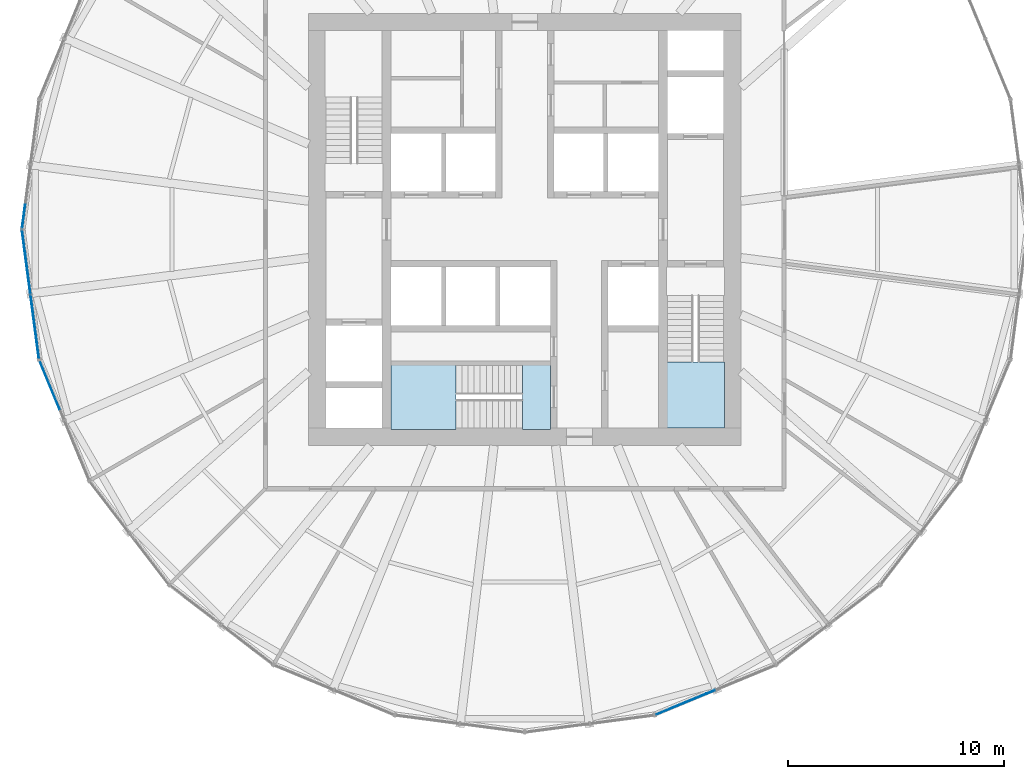
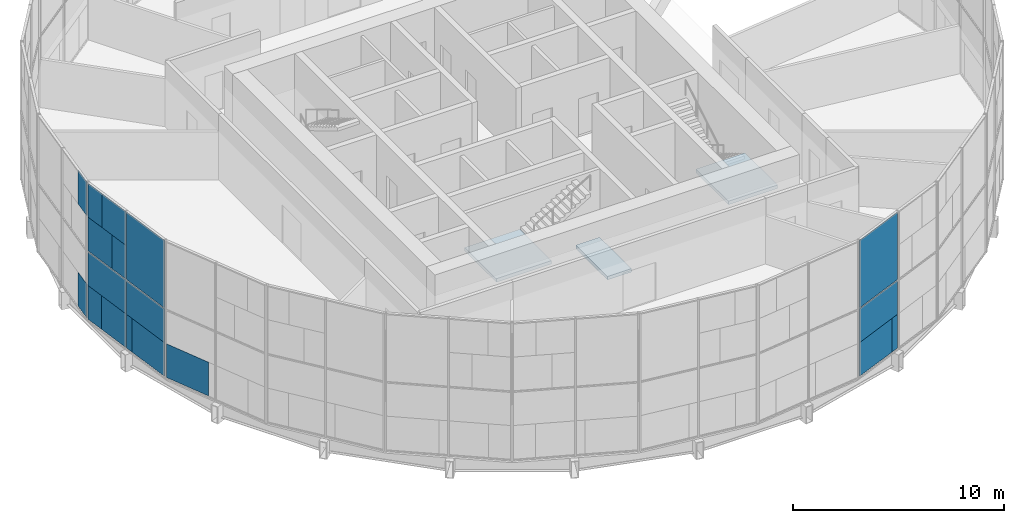
# One storey, part 9 of 18: 18 plates, 3 slabs, 6 elements without a shape of their own.
"""IFC4 building model written with IfcOpenShell, lengths in metres."""

from ifc_helpers import new_model, si_unit, direction, frame, origin, origin_2d, place, context, subcontext, project, spatial, polyline, rectangle, outline, extrude, material, layer, layer_set, type_object, element, aggregate, save


model = new_model("IFC4")

# Units and contexts
model_context = context("Model", 3, precision=1e-05, world=origin(), true_north=direction((0.0, 1.0)))
body_context = subcontext(model_context, "Body", "Model", "MODEL_VIEW")
ifc_project = project(units=[si_unit("LENGTHUNIT", "METRE"), si_unit("AREAUNIT", "SQUARE_METRE"), si_unit("VOLUMEUNIT", "CUBIC_METRE"), si_unit("PLANEANGLEUNIT", "RADIAN"), si_unit("MASSUNIT", "GRAM", prefix="KILO")], contexts=[model_context])

# Site, building, storey
site_placement = place(None, origin())
site = spatial("IfcSite", under=ifc_project, at=site_placement, CompositionType="ELEMENT")
building_placement = place(site_placement, origin())
building = spatial("IfcBuilding", under=site, at=building_placement, Name="Golbaran Civic Tower", CompositionType="ELEMENT")
storey_placement = place(building_placement, frame((0.0, 0.0, 45.0)))
storey = spatial("IfcBuildingStorey", under=building, at=storey_placement, Name="L10", CompositionType="ELEMENT", Elevation=45.0)

# Curtain wall, plate
ifc_material_1 = material(Name="Aluminium and glass", Category="aluminium")
curtain_wall_type = type_object("IfcCurtainWallType", Name="INNER SKIN CURTAIN WALL", PredefinedType="NOTDEFINED", material=ifc_material_1)
curtain_wall_1_placement = place(storey_placement, origin())
curtain_wall_1 = element("IfcCurtainWall", 1, at=curtain_wall_1_placement, inside=storey, type_object=curtain_wall_type, Name="Inner skin L10 facet 12 CW1", ObjectType="INNER SKIN", PredefinedType="USERDEFINED")
ifc_material_2 = material(Name="Clear insulating glass", Category="glass")
ifc_layer_1 = layer(ifc_material_2, 0.031982421875, Name="Clear insulating glass")
ifc_layer_set_1 = layer_set([ifc_layer_1], Name="Clear insulating glass")
plate_type_1 = type_object("IfcPlateType", Name="INNER SKIN CURTAIN WALL GLAZED PANEL", PredefinedType="CURTAIN_PANEL", material=ifc_layer_set_1)
plate_1_placement = place(storey_placement, frame((-23.193359375, 0.58935546875, 0.06494140625), z_axis=(0.0, 0.0, 1.0), x_axis=(-0.130526192134, -0.991444861385, 0.0)))
plate_1 = element("IfcPlate", 2, at=plate_1_placement, type_object=plate_type_1, Name="CW1 panel 2.1 part 2", PredefinedType="CURTAIN_PANEL", context=body_context, shape_type="SweptSolid", body=[
    extrude(rectangle(XDim=1.05908203125, YDim=0.031982421875, at=origin_2d()), origin(), (0.0, 0.0, 1.0), 1.951171875),
])

# Curtain wall, plates
curtain_wall_2_placement = place(storey_placement, origin())
curtain_wall_2 = element("IfcCurtainWall", 3, at=curtain_wall_2_placement, inside=storey, type_object=curtain_wall_type, Name="Inner skin L10 facet 13 CW1", ObjectType="INNER SKIN", PredefinedType="USERDEFINED")
plate_2_placement = place(storey_placement, frame((-23.193359375, -0.58935546875, 0.06494140625), z_axis=(0.0, 0.0, 1.0), x_axis=(0.130526192134, -0.991444861385, 0.0)))
plate_2 = element("IfcPlate", 4, at=plate_2_placement, type_object=plate_type_1, Name="CW1 panel 1.1 part 1", PredefinedType="CURTAIN_PANEL", context=body_context, shape_type="SweptSolid", body=[
    extrude(rectangle(XDim=1.05908203125, YDim=0.031982421875, at=origin_2d()), origin(), (0.0, 0.0, 1.0), 1.951171875),
])
plate_3_placement = place(storey_placement, frame((-22.949462890625, -2.44287109375, 4.032470703125), z_axis=(0.0, 0.0, 1.0), x_axis=(0.130526192134, -0.991444861385, 0.0)))
plate_3 = element("IfcPlate", 5, at=plate_3_placement, type_object=plate_type_1, Name="CW1 panel 1.2 part 2", PredefinedType="CURTAIN_PANEL", context=body_context, shape_type="SweptSolid", body=[
    extrude(rectangle(XDim=1.08203125, YDim=0.031982421875, at=origin_2d()), origin(), (0.0, 0.0, 1.0), 1.951171875),
])
plate_4_placement = place(storey_placement, frame((-23.0, -2.058837890625, 5.98388671875), z_axis=(0.0, 0.0, 1.0), x_axis=(0.130526192134, -0.991444861385, 0.0)))
plate_4 = element("IfcPlate", 6, at=plate_4_placement, type_object=plate_type_1, Name="CW1 panel 1.2 part 4", PredefinedType="CURTAIN_PANEL", context=body_context, shape_type="SweptSolid", body=[
    extrude(rectangle(XDim=1.85693359375, YDim=0.031982421875, at=origin_2d()), origin(), (0.0, 0.0, 1.0), 1.951171875),
])
plate_5_placement = place(storey_placement, frame((-22.65087890625, -4.710205078125, 0.06494140625), z_axis=(0.0, 0.0, 1.0), x_axis=(0.130526192134, -0.991444861385, 0.0)))
plate_5 = element("IfcPlate", 7, at=plate_5_placement, type_object=plate_type_1, Name="CW1 panel 2.1 part 2", PredefinedType="CURTAIN_PANEL", context=body_context, shape_type="SweptSolid", body=[
    extrude(rectangle(XDim=2.51806640625, YDim=0.031982421875, at=origin_2d()), origin(), (0.0, 0.0, 1.0), 1.951171875),
])
plate_6_placement = place(storey_placement, frame((-22.678466796875, -4.501220703125, 2.016357421875), z_axis=(0.0, 0.0, 1.0), x_axis=(0.130526192134, -0.991444861385, 0.0)))
plate_6 = element("IfcPlate", 8, at=plate_6_placement, type_object=plate_type_1, Name="CW1 panel 2.1 part 3", PredefinedType="CURTAIN_PANEL", context=body_context, shape_type="SweptSolid", body=[
    extrude(rectangle(XDim=2.93994140625, YDim=0.031982421875, at=origin_2d()), origin(), (0.0, 0.0, 1.0), 1.951171875),
])
plate_7_placement = place(storey_placement, frame((-22.678466796875, -4.501220703125, 4.0322265625), z_axis=(0.0, 0.0, 1.0), x_axis=(0.130526192134, -0.991444861385, 0.0)))
plate_7 = element("IfcPlate", 9, at=plate_7_placement, type_object=plate_type_1, Name="CW1 panel 2.2", PredefinedType="CURTAIN_PANEL", context=body_context, shape_type="SweptSolid", body=[
    extrude(rectangle(XDim=2.93994140625, YDim=0.031982421875, at=origin_2d()), origin(), (0.0, 0.0, 1.0), 3.902587890625),
])

# Curtain wall, plate
curtain_wall_3_placement = place(storey_placement, origin())
curtain_wall_3 = element("IfcCurtainWall", 10, at=curtain_wall_3_placement, inside=storey, type_object=curtain_wall_type, Name="Inner skin L10 facet 14 CW1", ObjectType="INNER SKIN", PredefinedType="USERDEFINED")
plate_8_placement = place(storey_placement, frame((-21.971435546875, -7.24609375, 0.06494140625), z_axis=(0.0, 0.0, 1.0), x_axis=(0.38268343251, -0.923879532451, 0.0)))
plate_8 = element("IfcPlate", 11, at=plate_8_placement, type_object=plate_type_1, Name="CW1 panel 1.1 part 1", PredefinedType="CURTAIN_PANEL", context=body_context, shape_type="SweptSolid", body=[
    extrude(rectangle(XDim=2.51806640625, YDim=0.031982421875, at=origin_2d()), origin(), (0.0, 0.0, 1.0), 1.951171875),
])
aggregate(curtain_wall_3, [plate_8])

# Curtain wall, plates
curtain_wall_4_placement = place(storey_placement, origin())
curtain_wall_4 = element("IfcCurtainWall", 12, at=curtain_wall_4_placement, inside=storey, type_object=curtain_wall_type, Name="Inner skin L10 facet 20 CW1", ObjectType="INNER SKIN", PredefinedType="USERDEFINED")
plate_9_placement = place(storey_placement, frame((7.24609375, -21.971435546875, 0.06494140625), z_axis=(0.0, 0.0, 1.0), x_axis=(0.923879532451, 0.38268343251, 0.0)))
plate_9 = element("IfcPlate", 13, at=plate_9_placement, type_object=plate_type_1, Name="CW1 panel 1.1 part 1", PredefinedType="CURTAIN_PANEL", context=body_context, shape_type="SweptSolid", body=[
    extrude(rectangle(XDim=2.51806640625, YDim=0.031982421875, at=origin_2d()), origin(), (0.0, 0.0, 1.0), 1.951171875),
])
plate_10_placement = place(storey_placement, frame((7.441162109375, -21.890625, 2.016357421875), z_axis=(0.0, 0.0, 1.0), x_axis=(0.923879532451, 0.38268343251, 0.0)))
plate_10 = element("IfcPlate", 14, at=plate_10_placement, type_object=plate_type_1, Name="CW1 panel 1.1 part 3", PredefinedType="CURTAIN_PANEL", context=body_context, shape_type="SweptSolid", body=[
    extrude(rectangle(XDim=2.93994140625, YDim=0.031982421875, at=origin_2d()), origin(), (0.0, 0.0, 1.0), 1.951171875),
])
plate_11_placement = place(storey_placement, frame((7.441162109375, -21.890625, 4.0322265625), z_axis=(0.0, 0.0, 1.0), x_axis=(0.923879532451, 0.38268343251, 0.0)))
plate_11 = element("IfcPlate", 15, at=plate_11_placement, type_object=plate_type_1, Name="CW1 panel 1.2", PredefinedType="CURTAIN_PANEL", context=body_context, shape_type="SweptSolid", body=[
    extrude(rectangle(XDim=2.93994140625, YDim=0.031982421875, at=origin_2d()), origin(), (0.0, 0.0, 1.0), 3.902587890625),
])

# Plate
ifc_material_3 = material(Name="Aluminium faced opaque infill panel", Category="aluminium")
ifc_layer_2 = layer(ifc_material_3, 0.031982421875, Name="Aluminium faced opaque infill panel")
ifc_layer_set_2 = layer_set([ifc_layer_2], Name="Aluminium faced opaque infill panel")
plate_type_2 = type_object("IfcPlateType", Name="INNER SKIN CURTAIN WALL OPAQUE INFILL PANEL", PredefinedType="CURTAIN_PANEL", material=ifc_layer_set_2)
plate_12_placement = place(storey_placement, frame((-23.19189453125, 0.601318359375, 5.98388671875), z_axis=(0.0, 0.0, 1.0), x_axis=(-0.130526192134, -0.991444861385, 0.0)))
plate_12 = element("IfcPlate", 16, at=plate_12_placement, type_object=plate_type_2, Name="CW1 infill panel 2.2 part 4", PredefinedType="CURTAIN_PANEL", context=body_context, shape_type="SweptSolid", body=[
    extrude(rectangle(XDim=1.0830078125, YDim=0.031982421875, at=origin_2d()), origin(), (0.0, 0.0, 1.0), 1.951171875),
])

aggregate(curtain_wall_1, [plate_1, plate_12])

plate_13_placement = place(storey_placement, frame((-23.00146484375, -2.046875, 0.06494140625), z_axis=(0.0, 0.0, 1.0), x_axis=(0.130526192134, -0.991444861385, 0.0)))
plate_13 = element("IfcPlate", 17, at=plate_13_placement, type_object=plate_type_2, Name="CW1 infill panel 1.1 part 2", PredefinedType="CURTAIN_PANEL", context=body_context, shape_type="SweptSolid", body=[
    extrude(rectangle(XDim=1.880859375, YDim=0.031982421875, at=origin_2d()), origin(), (0.0, 0.0, 1.0), 1.951171875),
])

plate_14_placement = place(storey_placement, frame((-23.070556640625, -1.52197265625, 2.016357421875), z_axis=(0.0, 0.0, 1.0), x_axis=(0.130526192134, -0.991444861385, 0.0)))
plate_14 = element("IfcPlate", 18, at=plate_14_placement, type_object=plate_type_2, Name="CW1 infill panel 1.1 part 3", PredefinedType="CURTAIN_PANEL", context=body_context, shape_type="SweptSolid", body=[
    extrude(rectangle(XDim=2.93994140625, YDim=0.031982421875, at=origin_2d()), origin(), (0.0, 0.0, 1.0), 1.951171875),
])

plate_15_placement = place(storey_placement, frame((-23.141357421875, -0.985595703125, 4.032470703125), z_axis=(0.0, 0.0, 1.0), x_axis=(0.130526192134, -0.991444861385, 0.0)))
plate_15 = element("IfcPlate", 19, at=plate_15_placement, type_object=plate_type_2, Name="CW1 infill panel 1.2 part 1", PredefinedType="CURTAIN_PANEL", context=body_context, shape_type="SweptSolid", body=[
    extrude(rectangle(XDim=1.85791015625, YDim=0.031982421875, at=origin_2d()), origin(), (0.0, 0.0, 1.0), 1.951171875),
])

plate_16_placement = place(storey_placement, frame((-23.19189453125, -0.601318359375, 5.98388671875), z_axis=(0.0, 0.0, 1.0), x_axis=(0.130526192134, -0.991444861385, 0.0)))
plate_16 = element("IfcPlate", 20, at=plate_16_placement, type_object=plate_type_2, Name="CW1 infill panel 1.2 part 3", PredefinedType="CURTAIN_PANEL", context=body_context, shape_type="SweptSolid", body=[
    extrude(rectangle(XDim=1.0830078125, YDim=0.031982421875, at=origin_2d()), origin(), (0.0, 0.0, 1.0), 1.951171875),
])

plate_17_placement = place(storey_placement, frame((-22.8427734375, -3.2529296875, 0.06494140625), z_axis=(0.0, 0.0, 1.0), x_axis=(0.130526192134, -0.991444861385, 0.0)))
plate_17 = element("IfcPlate", 21, at=plate_17_placement, type_object=plate_type_2, Name="CW1 infill panel 2.1 part 1", PredefinedType="CURTAIN_PANEL", context=body_context, shape_type="SweptSolid", body=[
    extrude(rectangle(XDim=0.422119140625, YDim=0.031982421875, at=origin_2d()), origin(), (0.0, 0.0, 1.0), 1.951171875),
])

aggregate(curtain_wall_2, [plate_2, plate_13, plate_14, plate_15, plate_3, plate_16, plate_4, plate_17, plate_5, plate_6, plate_7])

plate_18_placement = place(storey_placement, frame((8.604248046875, -21.408935546875, 0.06494140625), z_axis=(0.0, 0.0, 1.0), x_axis=(0.923879532451, 0.38268343251, 0.0)))
plate_18 = element("IfcPlate", 22, at=plate_18_placement, type_object=plate_type_2, Name="CW1 infill panel 1.1 part 2", PredefinedType="CURTAIN_PANEL", context=body_context, shape_type="SweptSolid", body=[
    extrude(rectangle(XDim=0.421875, YDim=0.031982421875, at=origin_2d()), origin(), (0.0, 0.0, 1.0), 1.951171875),
])

aggregate(curtain_wall_4, [plate_9, plate_18, plate_10, plate_11])

# Stair, slab
ifc_material_4 = material(Name="Concrete C35/45", Category="concrete")
stair_type_1 = type_object("IfcStairType", Name="EXIT STAIR 2600 x 7450, 4000 RISE", PredefinedType="HALF_TURN_STAIR", material=ifc_material_4)
stair_1_placement = place(storey_placement, origin())
stair_1 = element("IfcStair", 23, at=stair_1_placement, inside=storey, type_object=stair_type_1, Name="Stair S2 L10", PredefinedType="HALF_TURN_STAIR")
ifc_layer_3 = layer(ifc_material_4, 0.199951171875, Name="Concrete C35/45")
ifc_layer_set_3 = layer_set([ifc_layer_3], Name="Concrete C35/45")
slab_type = type_object("IfcSlabType", Name="STAIR LANDING 200", PredefinedType="LANDING", material=ifc_layer_set_3)
slab_1_placement = place(storey_placement, frame((0.0, 0.0, 1.800048828125)))
slab_1 = element("IfcSlab", 24, at=slab_1_placement, type_object=slab_type, Name="ST26074-40 landing 1", PredefinedType="LANDING", context=body_context, shape_type="SweptSolid", body=[
    extrude(outline(polyline([(9.25, -6.125), (9.25, -9.199951171875), (6.550048828125, -9.199951171875), (6.550048828125, -6.125), (9.25, -6.125)])), origin(), (0.0, 0.0, 1.0), 0.199951171875),
])
aggregate(stair_1, [slab_1])

stair_type_2 = type_object("IfcStairType", Name="EXIT STAIR 2900 x 7400, 4000 RISE", PredefinedType="HALF_TURN_STAIR", material=ifc_material_4)
stair_2_placement = place(storey_placement, origin())
stair_2 = element("IfcStair", 25, at=stair_2_placement, inside=storey, type_object=stair_type_2, Name="Stair S3 L10", PredefinedType="HALF_TURN_STAIR")
slab_2_placement = place(storey_placement, frame((0.0, 0.0, 1.800048828125)))
slab_2 = element("IfcSlab", 26, at=slab_2_placement, type_object=slab_type, Name="ST29074-40 landing 1", PredefinedType="LANDING", context=body_context, shape_type="SweptSolid", body=[
    extrude(outline(polyline([(-3.175048828125, -9.25), (-6.199951171875, -9.25), (-6.199951171875, -6.25), (-3.175048828125, -6.25), (-3.175048828125, -9.25)])), origin(), (0.0, 0.0, 1.0), 0.199951171875),
])
aggregate(stair_2, [slab_2])

# Slab
slab_3_placement = place(storey_placement, frame((0.0, 0.0, -0.199951171875)))
element("IfcSlab", 27, at=slab_3_placement, inside=storey, type_object=slab_type, Name="Stair S3 floor landing L10", PredefinedType="LANDING", context=body_context, shape_type="SweptSolid", body=[
    extrude(outline(polyline([(1.199951171875, -9.25), (-0.10498046875, -9.25), (-0.10498046875, -6.25), (1.199951171875, -6.25), (1.199951171875, -9.25)])), origin(), (0.0, 0.0, 1.0), 0.199951171875),
])

save(model, "model.ifc")
